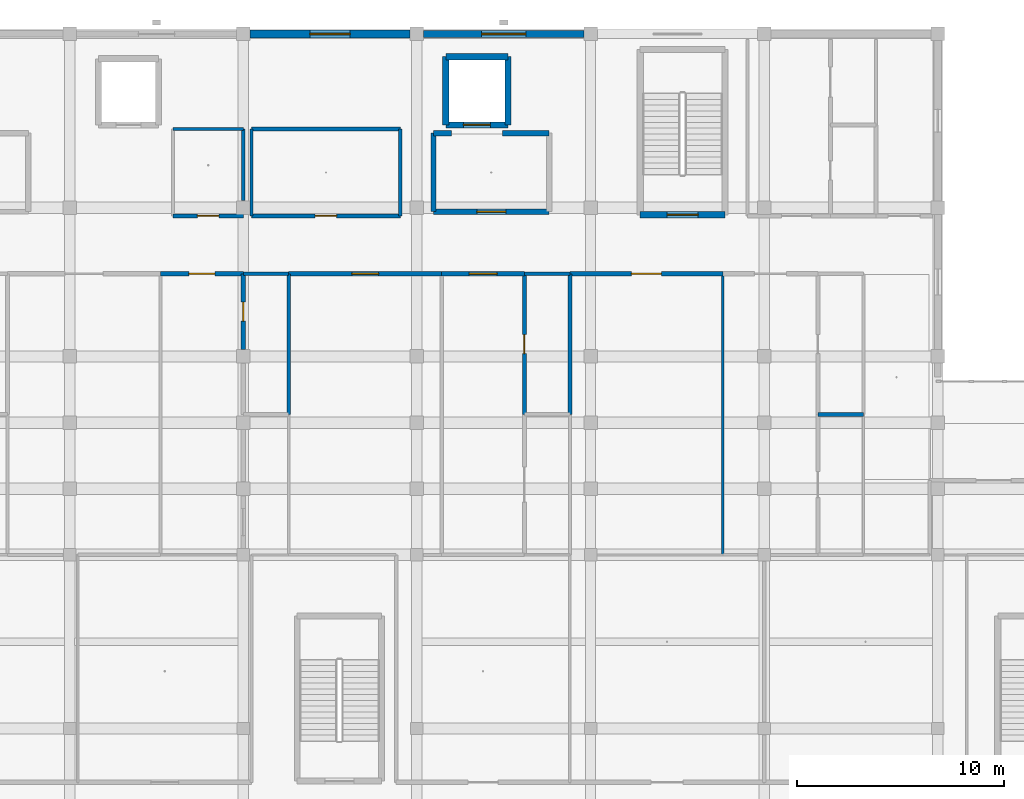
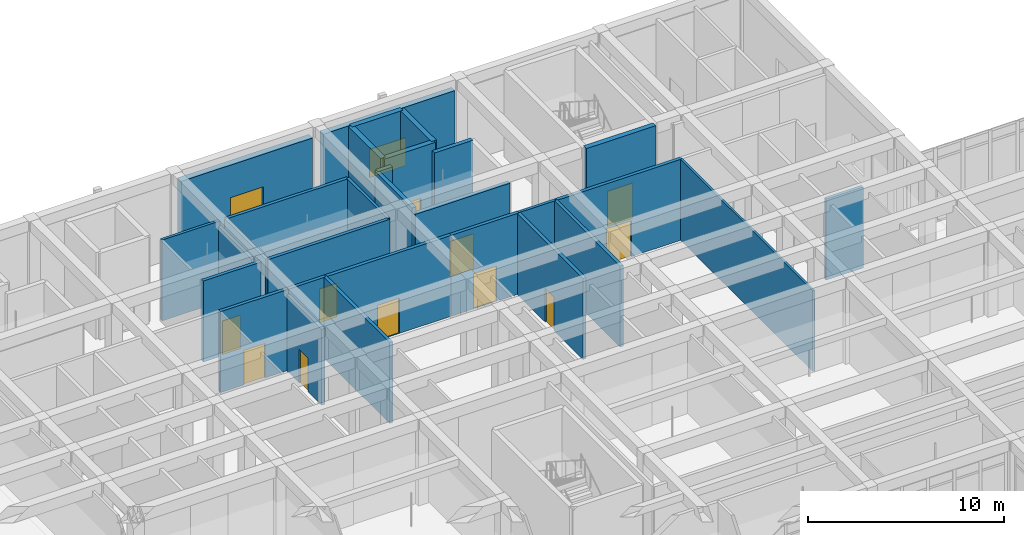
# One storey, part 83 of 157: 30 walls, 11 doors, 2 windows, 13 openings.
"""IFC4 building model written with IfcOpenShell, lengths in metres."""

from ifc_helpers import new_model, si_unit, direction, frame, frame_2d, origin, place, context, subcontext, project, spatial, rectangle, extrude, material, layer, layer_set, type_object, element, fill, save


model = new_model("IFC4")

# Units and contexts
model_context = context("Model", 3, precision=1e-05, world=origin(), true_north=direction((0.0, 1.0)))
body_context = subcontext(model_context, "Body", "Model", "MODEL_VIEW")
ifc_project = project(units=[si_unit("LENGTHUNIT", "METRE"), si_unit("AREAUNIT", "SQUARE_METRE"), si_unit("VOLUMEUNIT", "CUBIC_METRE"), si_unit("PLANEANGLEUNIT", "RADIAN"), si_unit("MASSUNIT", "GRAM", prefix="KILO")], contexts=[model_context])

# Site, building, storey
site_placement = place(None, origin())
site = spatial("IfcSite", under=ifc_project, at=site_placement, CompositionType="ELEMENT")
building_placement = place(site_placement, origin())
building = spatial("IfcBuilding", under=site, at=building_placement, Name="Varncliffe General Hospital", CompositionType="ELEMENT")
storey_placement = place(building_placement, frame((0.0, 0.0, 5.39990234375)))
storey = spatial("IfcBuildingStorey", under=building, at=storey_placement, Name="L01", CompositionType="ELEMENT", Elevation=5.39990234375)

# Wall, opening, window
ifc_material_1 = material(Name="Precast concrete C40/50 with insulated cream lime-cement stucco", Category="concrete")
ifc_layer_1 = layer(ifc_material_1, 0.3798828125)
ifc_layer_set_1 = layer_set([ifc_layer_1], Name="Precast concrete C40/50 with insulated cream lime-cement stucco")
wall_type_1 = type_object("IfcWallType", Name="Exterior Insulated Stucco Wall EW26 (380mm)", PredefinedType="SOLIDWALL", material=ifc_layer_set_1)
wall_1_placement = place(storey_placement, frame((33.923095703125, 124.800048828125, 0.0), z_axis=(0.0, 0.0, 1.0), x_axis=(1.0, 0.0, 0.0)))
wall_1 = element("IfcWall", 1, at=wall_1_placement, inside=storey, type_object=wall_type_1, Name="L01 Exterior Stucco Wall EW26-118", PredefinedType="SOLIDWALL", context=body_context, shape_type="SweptSolid", body=[
    extrude(rectangle(XDim=7.75390625, YDim=0.3798828125, at=frame_2d((3.876953125, 0.0))), origin(), (0.0, 0.0, 1.0), 4.68017578125),
])
opening_1_placement = place(wall_1_placement, frame((2.902099609375, 0.0, 0.89990234375)))
opening_1 = element("IfcOpeningElement", 2, at=opening_1_placement, cuts=wall_1, Name="Opening WN71", PredefinedType="OPENING", context=body_context, shape_type="SweptSolid", body=[
    extrude(rectangle(XDim=1.949951171875, YDim=1.75, at=frame_2d((0.97509765625, 0.875))), frame((0.0, 0.199951171875, 0.0), z_axis=(0.0, -1.0, 0.0), x_axis=(1.0, 0.0, 0.0)), (0.0, 0.0, 1.0), 0.39990234375),
])
ifc_material_2 = material(Name="Triple low-E argon insulated vision glazing", Category="glass")
window_type_1 = type_object("IfcWindowType", Name="Triple-Glazed Hospital Window WN71 (1950x1750)", PartitioningType="DOUBLE_PANEL_VERTICAL", PredefinedType="WINDOW", material=ifc_material_2)
window_1_placement = place(opening_1_placement, origin())
window_1 = element("IfcWindow", 3, at=window_1_placement, inside=storey, type_object=window_type_1, Name="L01 Hospital Window WN71-65", OverallHeight=1.75, OverallWidth=1.949951171875, PartitioningType="DOUBLE_PANEL_VERTICAL", PredefinedType="WINDOW", context=body_context, shape_type="SweptSolid", body=[
    extrude(rectangle(XDim=1.949951171875, YDim=1.75, at=frame_2d((0.97509765625, 0.875))), frame((0.0, 0.030029296875, 0.0), z_axis=(0.0, -1.0, 0.0), x_axis=(1.0, 0.0, 0.0)), (0.0, 0.0, 1.0), 0.06005859375),
])
fill(opening_1, window_1)

ifc_layer_2 = layer(ifc_material_1, 0.35009765625)
ifc_layer_set_2 = layer_set([ifc_layer_2], Name="Precast concrete C40/50 with insulated cream lime-cement stucco")
wall_type_2 = type_object("IfcWallType", Name="Exterior Insulated Stucco Wall EW37 (350mm)", PredefinedType="SOLIDWALL", material=ifc_layer_set_2)
wall_2_placement = place(storey_placement, frame((42.322998046875, 124.800048828125, 0.0), z_axis=(0.0, 0.0, 1.0), x_axis=(1.0, 0.0, 0.0)))
wall_2 = element("IfcWall", 4, at=wall_2_placement, inside=storey, type_object=wall_type_2, Name="L01 Exterior Stucco Wall EW37-119", PredefinedType="SOLIDWALL", context=body_context, shape_type="SweptSolid", body=[
    extrude(rectangle(XDim=7.75390625, YDim=0.35009765625, at=frame_2d((3.876953125, 0.0))), origin(), (0.0, 0.0, 1.0), 4.68017578125),
])
opening_2_placement = place(wall_2_placement, frame((2.802001953125, 0.0, 0.89990234375)))
opening_2 = element("IfcOpeningElement", 5, at=opening_2_placement, cuts=wall_2, Name="Opening WN63", PredefinedType="OPENING", context=body_context, shape_type="SweptSolid", body=[
    extrude(rectangle(XDim=2.14990234375, YDim=1.75, at=frame_2d((1.074951171875, 0.875))), frame((0.0, 0.18505859375, 0.0), z_axis=(0.0, -1.0, 0.0), x_axis=(1.0, 0.0, 0.0)), (0.0, 0.0, 1.0), 0.3701171875),
])
window_type_2 = type_object("IfcWindowType", Name="Triple-Glazed Hospital Window WN63 (2150x1750)", PartitioningType="DOUBLE_PANEL_VERTICAL", PredefinedType="WINDOW", material=ifc_material_2)
window_2_placement = place(opening_2_placement, origin())
window_2 = element("IfcWindow", 6, at=window_2_placement, inside=storey, type_object=window_type_2, Name="L01 Hospital Window WN63-66", OverallHeight=1.75, OverallWidth=2.14990234375, PartitioningType="DOUBLE_PANEL_VERTICAL", PredefinedType="WINDOW", context=body_context, shape_type="SweptSolid", body=[
    extrude(rectangle(XDim=2.14990234375, YDim=1.75, at=frame_2d((1.074951171875, 0.875))), frame((0.0, 0.030029296875, 0.0), z_axis=(0.0, -1.0, 0.0), x_axis=(1.0, 0.0, 0.0)), (0.0, 0.0, 1.0), 0.06005859375),
])
fill(opening_2, window_2)

# Wall
ifc_material_3 = material(Name="Acoustic clinical gypsum stud partition assembly", Category="gypsum")
ifc_layer_3 = layer(ifc_material_3, 0.1298828125)
ifc_layer_set_3 = layer_set([ifc_layer_3], Name="Acoustic clinical gypsum stud partition assembly")
wall_type_3 = type_object("IfcWallType", Name="Interior Partitioning IW11 (130mm)", PredefinedType="PARTITIONING", material=ifc_layer_set_3)
wall_3_placement = place(storey_placement, frame((56.800048828125, 99.60009765625, 0.0), z_axis=(0.0, 0.0, 1.0), x_axis=(0.0, 1.0, 0.0)))
element("IfcWall", 7, at=wall_3_placement, inside=storey, type_object=wall_type_3, Name="L01 Interior Partition Wall IW11-743", PredefinedType="PARTITIONING", context=body_context, shape_type="SweptSolid", body=[
    extrude(rectangle(XDim=13.599853515625, YDim=0.1298828125, at=frame_2d((6.7998046875, 0.0))), origin(), (0.0, 0.0, 1.0), 5.050048828125),
])

# Wall, opening, door
ifc_material_4 = material(Name="Fire-rated gypsum and mineral-wool partition assembly", Category="gypsum")
ifc_layer_4 = layer(ifc_material_4, 0.25)
ifc_layer_set_4 = layer_set([ifc_layer_4], Name="Fire-rated gypsum and mineral-wool partition assembly")
wall_type_4 = type_object("IfcWallType", Name="Interior Partitioning PW38 (250mm)", PredefinedType="PARTITIONING", material=ifc_layer_set_4)
wall_4_placement = place(storey_placement, frame((42.800048828125, 116.199951171875, 0.0), z_axis=(0.0, 0.0, 1.0), x_axis=(1.0, 0.0, 0.0)))
wall_4 = element("IfcWall", 8, at=wall_4_placement, inside=storey, type_object=wall_type_4, Name="L01 Interior Partition Wall PW38-655", PredefinedType="PARTITIONING", context=body_context, shape_type="SweptSolid", body=[
    extrude(rectangle(XDim=5.599853515625, YDim=0.25, at=frame_2d((2.7998046875, 0.0))), origin(), (0.0, 0.0, 1.0), 4.68505859375),
])
opening_3_placement = place(wall_4_placement, frame((2.10009765625, 0.0, 0.0)))
opening_3 = element("IfcOpeningElement", 9, at=opening_3_placement, cuts=wall_4, Name="Opening DF81", PredefinedType="OPENING", context=body_context, shape_type="SweptSolid", body=[
    extrude(rectangle(XDim=1.39990234375, YDim=2.199951171875, at=frame_2d((0.699951171875, 1.10009765625))), frame((0.0, 0.135009765625, 0.0), z_axis=(0.0, -1.0, 0.0), x_axis=(1.0, 0.0, 0.0)), (0.0, 0.0, 1.0), 0.27001953125),
])
ifc_material_5 = material(Name="Fire-rated hospital steel-frame vision-panel door", Category="steel")
door_type_1 = type_object("IfcDoorType", Name="Interior Hospital Door DF81 (1400x2200)", OperationType="NOTDEFINED", PredefinedType="DOOR", material=ifc_material_5)
door_1_placement = place(opening_3_placement, origin())
door_1 = element("IfcDoor", 10, at=door_1_placement, inside=storey, type_object=door_type_1, Name="L01 Firefighting Lift Lobby LF02 Door", OperationType="SINGLE_SWING_RIGHT", OverallHeight=2.199951171875, OverallWidth=1.39990234375, PredefinedType="DOOR", context=body_context, shape_type="SweptSolid", body=[
    extrude(rectangle(XDim=1.39990234375, YDim=2.199951171875, at=frame_2d((0.699951171875, 1.10009765625))), frame((0.0, 0.02490234375, 0.0), z_axis=(0.0, -1.0, 0.0), x_axis=(1.0, 0.0, 0.0)), (0.0, 0.0, 1.0), 0.050048828125),
])
fill(opening_3, door_1)

# Walls
wall_5_placement = place(storey_placement, frame((46.135986328125, 120.0, 0.0), z_axis=(0.0, 0.0, 1.0), x_axis=(1.0, 0.0, 0.0)))
element("IfcWall", 11, at=wall_5_placement, inside=storey, type_object=wall_type_4, Name="L01 Interior Partition Wall PW38-659", PredefinedType="PARTITIONING", context=body_context, shape_type="SweptSolid", body=[
    extrude(rectangle(XDim=2.263916015625, YDim=0.25, at=frame_2d((1.1318359375, 0.0))), origin(), (0.0, 0.0, 1.0), 5.050048828125),
])
wall_6_placement = place(storey_placement, frame((42.800048828125, 120.0, 0.0), z_axis=(0.0, 0.0, 1.0), x_axis=(1.0, 0.0, 0.0)))
element("IfcWall", 12, at=wall_6_placement, inside=storey, type_object=wall_type_4, Name="L01 Interior Partition Wall PW38-660", PredefinedType="PARTITIONING", context=body_context, shape_type="SweptSolid", body=[
    extrude(rectangle(XDim=0.864013671875, YDim=0.25, at=frame_2d((0.43212890625, 0.0))), origin(), (0.0, 0.0, 1.0), 5.050048828125),
])
ifc_layer_5 = layer(ifc_material_4, 0.22998046875)
ifc_layer_set_5 = layer_set([ifc_layer_5], Name="Fire-rated gypsum and mineral-wool partition assembly")
wall_type_5 = type_object("IfcWallType", Name="Interior Partitioning PW48 (230mm)", PredefinedType="PARTITIONING", material=ifc_layer_set_5)
wall_7_placement = place(storey_placement, frame((42.800048828125, 116.199951171875, 0.0), z_axis=(0.0, 0.0, 1.0), x_axis=(0.0, 1.0, 0.0)))
element("IfcWall", 13, at=wall_7_placement, inside=storey, type_object=wall_type_5, Name="L01 Interior Partition Wall PW48-728", PredefinedType="PARTITIONING", context=body_context, shape_type="SweptSolid", body=[
    extrude(rectangle(XDim=3.800048828125, YDim=0.22998046875, at=frame_2d((1.89990234375, 0.0))), origin(), (0.0, 0.0, 1.0), 5.050048828125),
])

# Wall, opening, door
ifc_layer_6 = layer(ifc_material_4, 0.199951171875)
ifc_layer_set_6 = layer_set([ifc_layer_6], Name="Fire-rated gypsum and mineral-wool partition assembly")
wall_type_6 = type_object("IfcWallType", Name="Interior Partitioning PW63 (200mm)", PredefinedType="PARTITIONING", material=ifc_layer_set_6)
wall_8_placement = place(storey_placement, frame((29.60009765625, 113.199951171875, 0.0), z_axis=(0.0, 0.0, 1.0), x_axis=(1.0, 0.0, 0.0)))
wall_8 = element("IfcWall", 14, at=wall_8_placement, inside=storey, type_object=wall_type_6, Name="L01 Interior Partition Wall PW63-619", PredefinedType="PARTITIONING", context=body_context, shape_type="SweptSolid", body=[
    extrude(rectangle(XDim=4.0, YDim=0.199951171875, at=frame_2d((2.0, 0.0))), origin(), (0.0, 0.0, 1.0), 5.050048828125),
])
opening_4_placement = place(wall_8_placement, frame((1.375, 0.0, 0.0)))
opening_4 = element("IfcOpeningElement", 15, at=opening_4_placement, cuts=wall_8, Name="Opening DC44", PredefinedType="OPENING", context=body_context, shape_type="SweptSolid", body=[
    extrude(rectangle(XDim=1.25, YDim=2.14990234375, at=frame_2d((0.625, 1.074951171875))), frame((0.0, 0.10986328125, 0.0), z_axis=(0.0, -1.0, 0.0), x_axis=(1.0, 0.0, 0.0)), (0.0, 0.0, 1.0), 0.219970703125),
])
door_type_2 = type_object("IfcDoorType", Name="Interior Hospital Door DC44 (1250x2150)", OperationType="NOTDEFINED", PredefinedType="DOOR", material=ifc_material_5)
door_2_placement = place(opening_4_placement, frame((1.25, 0.0, 0.0), z_axis=(0.0, 0.0, 1.0), x_axis=(-1.0, 0.0, 0.0)))
door_2 = element("IfcDoor", 16, at=door_2_placement, inside=storey, type_object=door_type_2, Name="L01 General Medical Inpatient Room 138 Door", OperationType="SINGLE_SWING_LEFT", OverallHeight=2.14990234375, OverallWidth=1.25, PredefinedType="DOOR", context=body_context, shape_type="SweptSolid", body=[
    extrude(rectangle(XDim=1.25, YDim=2.14990234375, at=frame_2d((0.625, 1.074951171875))), frame((0.0, 0.02490234375, 0.0), z_axis=(0.0, -1.0, 0.0), x_axis=(1.0, 0.0, 0.0)), (0.0, 0.0, 1.0), 0.050048828125),
])
fill(opening_4, door_2)

wall_9_placement = place(storey_placement, frame((35.800048828125, 113.199951171875, 0.0), z_axis=(0.0, 0.0, 1.0), x_axis=(1.0, 0.0, 0.0)))
wall_9 = element("IfcWall", 17, at=wall_9_placement, inside=storey, type_object=wall_type_6, Name="L01 Interior Partition Wall PW63-621", PredefinedType="PARTITIONING", context=body_context, shape_type="SweptSolid", body=[
    extrude(rectangle(XDim=7.39990234375, YDim=0.199951171875, at=frame_2d((3.699951171875, 0.0))), origin(), (0.0, 0.0, 1.0), 5.050048828125),
])
opening_5_placement = place(wall_9_placement, frame((3.050048828125, 0.0, 0.0)))
opening_5 = element("IfcOpeningElement", 18, at=opening_5_placement, cuts=wall_9, Name="Opening DC88", PredefinedType="OPENING", context=body_context, shape_type="SweptSolid", body=[
    extrude(rectangle(XDim=1.300048828125, YDim=2.199951171875, at=frame_2d((0.64990234375, 1.10009765625))), frame((0.0, 0.10986328125, 0.0), z_axis=(0.0, -1.0, 0.0), x_axis=(1.0, 0.0, 0.0)), (0.0, 0.0, 1.0), 0.219970703125),
])
door_type_3 = type_object("IfcDoorType", Name="Interior Hospital Door DC88 (1300x2200)", OperationType="NOTDEFINED", PredefinedType="DOOR", material=ifc_material_5)
door_3_placement = place(opening_5_placement, frame((1.300048828125, 0.0, 0.0), z_axis=(0.0, 0.0, 1.0), x_axis=(-1.0, 0.0, 0.0)))
door_3 = element("IfcDoor", 19, at=door_3_placement, inside=storey, type_object=door_type_3, Name="L01 Ward Nurse Station and Medication Room 141 Door", OperationType="SINGLE_SWING_RIGHT", OverallHeight=2.199951171875, OverallWidth=1.300048828125, PredefinedType="DOOR", context=body_context, shape_type="SweptSolid", body=[
    extrude(rectangle(XDim=1.300048828125, YDim=2.199951171875, at=frame_2d((0.64990234375, 1.10009765625))), frame((0.0, 0.02490234375, 0.0), z_axis=(0.0, -1.0, 0.0), x_axis=(1.0, 0.0, 0.0)), (0.0, 0.0, 1.0), 0.050048828125),
])
fill(opening_5, door_3)

wall_10_placement = place(storey_placement, frame((43.199951171875, 113.199951171875, 0.0), z_axis=(0.0, 0.0, 1.0), x_axis=(1.0, 0.0, 0.0)))
wall_10 = element("IfcWall", 20, at=wall_10_placement, inside=storey, type_object=wall_type_6, Name="L01 Interior Partition Wall PW63-622", PredefinedType="PARTITIONING", context=body_context, shape_type="SweptSolid", body=[
    extrude(rectangle(XDim=4.0, YDim=0.199951171875, at=frame_2d((2.0, 0.0))), origin(), (0.0, 0.0, 1.0), 5.050048828125),
])
opening_6_placement = place(wall_10_placement, frame((1.324951171875, 0.0, 0.0)))
opening_6 = element("IfcOpeningElement", 21, at=opening_6_placement, cuts=wall_10, Name="Opening DC85", PredefinedType="OPENING", context=body_context, shape_type="SweptSolid", body=[
    extrude(rectangle(XDim=1.35009765625, YDim=2.199951171875, at=frame_2d((0.675048828125, 1.10009765625))), frame((0.0, 0.10986328125, 0.0), z_axis=(0.0, -1.0, 0.0), x_axis=(1.0, 0.0, 0.0)), (0.0, 0.0, 1.0), 0.219970703125),
])
door_type_4 = type_object("IfcDoorType", Name="Interior Hospital Door DC85 (1350x2200)", OperationType="NOTDEFINED", PredefinedType="DOOR", material=ifc_material_5)
door_4_placement = place(opening_6_placement, frame((1.35009765625, 0.0, 0.0), z_axis=(0.0, 0.0, 1.0), x_axis=(-1.0, 0.0, 0.0)))
door_4 = element("IfcDoor", 22, at=door_4_placement, inside=storey, type_object=door_type_4, Name="L01 General Medical Inpatient Room 142 Door", OperationType="SINGLE_SWING_LEFT", OverallHeight=2.199951171875, OverallWidth=1.35009765625, PredefinedType="DOOR", context=body_context, shape_type="SweptSolid", body=[
    extrude(rectangle(XDim=1.35009765625, YDim=2.199951171875, at=frame_2d((0.675048828125, 1.10009765625))), frame((0.0, 0.02490234375, 0.0), z_axis=(0.0, -1.0, 0.0), x_axis=(1.0, 0.0, 0.0)), (0.0, 0.0, 1.0), 0.050048828125),
])
fill(opening_6, door_4)

wall_11_placement = place(storey_placement, frame((49.39990234375, 113.199951171875, 0.0), z_axis=(0.0, 0.0, 1.0), x_axis=(1.0, 0.0, 0.0)))
wall_11 = element("IfcWall", 23, at=wall_11_placement, inside=storey, type_object=wall_type_6, Name="L01 Interior Partition Wall PW63-624", PredefinedType="PARTITIONING", context=body_context, shape_type="SweptSolid", body=[
    extrude(rectangle(XDim=7.400146484375, YDim=0.199951171875, at=frame_2d((3.7001953125, 0.0))), origin(), (0.0, 0.0, 1.0), 5.050048828125),
])
opening_7_placement = place(wall_11_placement, frame((2.97509765625, 0.0, 0.0)))
opening_7 = element("IfcOpeningElement", 24, at=opening_7_placement, cuts=wall_11, Name="Opening DC66", PredefinedType="OPENING", context=body_context, shape_type="SweptSolid", body=[
    extrude(rectangle(XDim=1.449951171875, YDim=2.25, at=frame_2d((0.72509765625, 1.125))), frame((0.0, 0.10986328125, 0.0), z_axis=(0.0, -1.0, 0.0), x_axis=(1.0, 0.0, 0.0)), (0.0, 0.0, 1.0), 0.219970703125),
])
door_type_5 = type_object("IfcDoorType", Name="Interior Hospital Door DC66 (1450x2250)", OperationType="NOTDEFINED", PredefinedType="DOOR", material=ifc_material_5)
door_5_placement = place(opening_7_placement, frame((1.449951171875, 0.0, 0.0), z_axis=(0.0, 0.0, 1.0), x_axis=(-1.0, 0.0, 0.0)))
door_5 = element("IfcDoor", 25, at=door_5_placement, inside=storey, type_object=door_type_5, Name="L01 Ward Nurse Station and Medication Room 145 Door", OperationType="SINGLE_SWING_RIGHT", OverallHeight=2.25, OverallWidth=1.449951171875, PredefinedType="DOOR", context=body_context, shape_type="SweptSolid", body=[
    extrude(rectangle(XDim=1.449951171875, YDim=2.25, at=frame_2d((0.72509765625, 1.125))), frame((0.0, 0.02490234375, 0.0), z_axis=(0.0, -1.0, 0.0), x_axis=(1.0, 0.0, 0.0)), (0.0, 0.0, 1.0), 0.050048828125),
])
fill(opening_7, door_5)

wall_12_placement = place(storey_placement, frame((30.199951171875, 116.0, 0.0), z_axis=(0.0, 0.0, 1.0), x_axis=(1.0, 0.0, 0.0)))
wall_12 = element("IfcWall", 26, at=wall_12_placement, inside=storey, type_object=wall_type_6, Name="L01 Interior Partition Wall PW63-643", PredefinedType="PARTITIONING", context=body_context, shape_type="SweptSolid", body=[
    extrude(rectangle(XDim=3.400146484375, YDim=0.199951171875, at=frame_2d((1.7001953125, 0.0))), origin(), (0.0, 0.0, 1.0), 5.050048828125),
])
opening_8_placement = place(wall_12_placement, frame((1.179931640625, 0.0, 0.0)))
opening_8 = element("IfcOpeningElement", 27, at=opening_8_placement, cuts=wall_12, Name="Opening DI77", PredefinedType="OPENING", context=body_context, shape_type="SweptSolid", body=[
    extrude(rectangle(XDim=1.0400390625, YDim=2.10009765625, at=frame_2d((0.52001953125, 1.050048828125))), frame((0.0, 0.10986328125, 0.0), z_axis=(0.0, -1.0, 0.0), x_axis=(1.0, 0.0, 0.0)), (0.0, 0.0, 1.0), 0.219970703125),
])
ifc_material_6 = material(Name="Solid-core antimicrobial hospital oak veneer door", Category="wood")
door_type_6 = type_object("IfcDoorType", Name="Interior Hospital Door DI77 (1040x2100)", OperationType="NOTDEFINED", PredefinedType="DOOR", material=ifc_material_6)
door_6_placement = place(opening_8_placement, origin())
door_6 = element("IfcDoor", 28, at=door_6_placement, inside=storey, type_object=door_type_6, Name="L01 Accessible WC L01-NW Door", OperationType="SINGLE_SWING_RIGHT", OverallHeight=2.10009765625, OverallWidth=1.0400390625, PredefinedType="DOOR", context=body_context, shape_type="SweptSolid", body=[
    extrude(rectangle(XDim=1.0400390625, YDim=2.10009765625, at=frame_2d((0.52001953125, 1.050048828125))), frame((0.0, 0.02490234375, 0.0), z_axis=(0.0, -1.0, 0.0), x_axis=(1.0, 0.0, 0.0)), (0.0, 0.0, 1.0), 0.050048828125),
])
fill(opening_8, door_6)

wall_13_placement = place(storey_placement, frame((34.0, 116.0, 0.0), z_axis=(0.0, 0.0, 1.0), x_axis=(1.0, 0.0, 0.0)))
wall_13 = element("IfcWall", 29, at=wall_13_placement, inside=storey, type_object=wall_type_6, Name="L01 Interior Partition Wall PW63-644", PredefinedType="PARTITIONING", context=body_context, shape_type="SweptSolid", body=[
    extrude(rectangle(XDim=7.199951171875, YDim=0.199951171875, at=frame_2d((3.60009765625, 0.0))), origin(), (0.0, 0.0, 1.0), 5.050048828125),
])
opening_9_placement = place(wall_13_placement, frame((3.080078125, 0.0, 0.0)))
opening_9 = element("IfcOpeningElement", 30, at=opening_9_placement, cuts=wall_13, Name="Opening DI77", PredefinedType="OPENING", context=body_context, shape_type="SweptSolid", body=[
    extrude(rectangle(XDim=1.0400390625, YDim=2.10009765625, at=frame_2d((0.52001953125, 1.050048828125))), frame((0.0, 0.10986328125, 0.0), z_axis=(0.0, -1.0, 0.0), x_axis=(1.0, 0.0, 0.0)), (0.0, 0.0, 1.0), 0.219970703125),
])
door_7_placement = place(opening_9_placement, origin())
door_7 = element("IfcDoor", 31, at=door_7_placement, inside=storey, type_object=door_type_6, Name="L01 Staff and Visitor WC L01-NW Door", OperationType="SINGLE_SWING_LEFT", OverallHeight=2.10009765625, OverallWidth=1.0400390625, PredefinedType="DOOR", context=body_context, shape_type="SweptSolid", body=[
    extrude(rectangle(XDim=1.0400390625, YDim=2.10009765625, at=frame_2d((0.52001953125, 1.050048828125))), frame((0.0, 0.02490234375, 0.0), z_axis=(0.0, -1.0, 0.0), x_axis=(1.0, 0.0, 0.0)), (0.0, 0.0, 1.0), 0.050048828125),
])
fill(opening_9, door_7)

wall_14_placement = place(storey_placement, frame((33.60009765625, 109.5400390625, 0.0), z_axis=(0.0, 0.0, 1.0), x_axis=(0.0, 1.0, 0.0)))
wall_14 = element("IfcWall", 32, at=wall_14_placement, inside=storey, type_object=wall_type_6, Name="L01 Interior Partition Wall PW63-715", PredefinedType="PARTITIONING", context=body_context, shape_type="SweptSolid", body=[
    extrude(rectangle(XDim=3.659912109375, YDim=0.199951171875, at=frame_2d((1.830078125, 0.0))), origin(), (0.0, 0.0, 1.0), 4.735107421875),
])
opening_10_placement = place(wall_14_placement, frame((1.3701171875, 0.0, 0.0)))
opening_10 = element("IfcOpeningElement", 33, at=opening_10_placement, cuts=wall_14, Name="Opening DI70", PredefinedType="OPENING", context=body_context, shape_type="SweptSolid", body=[
    extrude(rectangle(XDim=0.919921875, YDim=2.10009765625, at=frame_2d((0.4599609375, 1.050048828125))), frame((0.0, 0.10986328125, 0.0), z_axis=(0.0, -1.0, 0.0), x_axis=(1.0, 0.0, 0.0)), (0.0, 0.0, 1.0), 0.219970703125),
])
door_type_7 = type_object("IfcDoorType", Name="Interior Hospital Door DI70 (920x2100)", OperationType="NOTDEFINED", PredefinedType="DOOR", material=ifc_material_6)
door_8_placement = place(opening_10_placement, frame((0.919921875, 0.0, 0.0), z_axis=(0.0, 0.0, 1.0), x_axis=(-1.0, 0.0, 0.0)))
door_8 = element("IfcDoor", 34, at=door_8_placement, inside=storey, type_object=door_type_7, Name="L01 En-Suite Bathroom 139 Door", OperationType="SINGLE_SWING_RIGHT", OverallHeight=2.10009765625, OverallWidth=0.919921875, PredefinedType="DOOR", context=body_context, shape_type="SweptSolid", body=[
    extrude(rectangle(XDim=0.919921875, YDim=2.10009765625, at=frame_2d((0.4599609375, 1.050048828125))), frame((0.0, 0.02490234375, 0.0), z_axis=(0.0, -1.0, 0.0), x_axis=(1.0, 0.0, 0.0)), (0.0, 0.0, 1.0), 0.050048828125),
])
fill(opening_10, door_8)

wall_15_placement = place(storey_placement, frame((47.199951171875, 106.39990234375, 0.0), z_axis=(0.0, 0.0, 1.0), x_axis=(0.0, 1.0, 0.0)))
wall_15 = element("IfcWall", 35, at=wall_15_placement, inside=storey, type_object=wall_type_6, Name="L01 Interior Partition Wall PW63-734", PredefinedType="PARTITIONING", context=body_context, shape_type="SweptSolid", body=[
    extrude(rectangle(XDim=6.800048828125, YDim=0.199951171875, at=frame_2d((3.39990234375, 0.0))), origin(), (0.0, 0.0, 1.0), 5.050048828125),
])
opening_11_placement = place(wall_15_placement, frame((2.93994140625, 0.0, 0.0)))
opening_11 = element("IfcOpeningElement", 36, at=opening_11_placement, cuts=wall_15, Name="Opening DI70", PredefinedType="OPENING", context=body_context, shape_type="SweptSolid", body=[
    extrude(rectangle(XDim=0.919921875, YDim=2.10009765625, at=frame_2d((0.4599609375, 1.050048828125))), frame((0.0, 0.10986328125, 0.0), z_axis=(0.0, -1.0, 0.0), x_axis=(1.0, 0.0, 0.0)), (0.0, 0.0, 1.0), 0.219970703125),
])
door_9_placement = place(opening_11_placement, frame((0.919921875, 0.0, 0.0), z_axis=(0.0, 0.0, 1.0), x_axis=(-1.0, 0.0, 0.0)))
door_9 = element("IfcDoor", 37, at=door_9_placement, inside=storey, type_object=door_type_7, Name="L01 En-Suite Bathroom 143 Door", OperationType="SINGLE_SWING_RIGHT", OverallHeight=2.10009765625, OverallWidth=0.919921875, PredefinedType="DOOR", context=body_context, shape_type="SweptSolid", body=[
    extrude(rectangle(XDim=0.919921875, YDim=2.10009765625, at=frame_2d((0.4599609375, 1.050048828125))), frame((0.0, 0.02490234375, 0.0), z_axis=(0.0, -1.0, 0.0), x_axis=(1.0, 0.0, 0.0)), (0.0, 0.0, 1.0), 0.050048828125),
])
fill(opening_11, door_9)

# Walls
ifc_material_7 = material(Name="Moisture-resistant plumbing chase wall assembly", Category="gypsum")
ifc_layer_7 = layer(ifc_material_7, 0.18994140625)
ifc_layer_set_7 = layer_set([ifc_layer_7], Name="Moisture-resistant plumbing chase wall assembly")
wall_type_7 = type_object("IfcWallType", Name="Interior Plumbingwall MW17 (190mm)", PredefinedType="PLUMBINGWALL", material=ifc_layer_set_7)
wall_16_placement = place(storey_placement, frame((61.39990234375, 106.39990234375, 0.0), z_axis=(0.0, 0.0, 1.0), x_axis=(1.0, 0.0, 0.0)))
element("IfcWall", 38, at=wall_16_placement, inside=storey, type_object=wall_type_7, Name="L01 Interior Plumbing Wall MW17-608", PredefinedType="PLUMBINGWALL", context=body_context, shape_type="SweptSolid", body=[
    extrude(rectangle(XDim=2.2001953125, YDim=0.18994140625, at=frame_2d((1.10009765625, 0.0))), origin(), (0.0, 0.0, 1.0), 5.050048828125),
])
wall_17_placement = place(storey_placement, frame((33.60009765625, 113.199951171875, 0.0), z_axis=(0.0, 0.0, 1.0), x_axis=(1.0, 0.0, 0.0)))
element("IfcWall", 39, at=wall_17_placement, inside=storey, type_object=wall_type_7, Name="L01 Interior Plumbing Wall MW17-620", PredefinedType="PLUMBINGWALL", context=body_context, shape_type="SweptSolid", body=[
    extrude(rectangle(XDim=2.199951171875, YDim=0.18994140625, at=frame_2d((1.10009765625, 0.0))), origin(), (0.0, 0.0, 1.0), 5.050048828125),
])
wall_18_placement = place(storey_placement, frame((34.0, 120.199951171875, 0.0), z_axis=(0.0, 0.0, 1.0), x_axis=(1.0, 0.0, 0.0)))
element("IfcWall", 40, at=wall_18_placement, inside=storey, type_object=wall_type_7, Name="L01 Interior Plumbing Wall MW17-664", PredefinedType="PLUMBINGWALL", context=body_context, shape_type="SweptSolid", body=[
    extrude(rectangle(XDim=7.199951171875, YDim=0.18994140625, at=frame_2d((3.60009765625, 0.0))), origin(), (0.0, 0.0, 1.0), 5.050048828125),
])
for number, where, z_axis, x_axis, name in (
    (41, (35.800048828125, 106.39990234375, 0.0), (0.0, 0.0, 1.0), (0.0, 1.0, 0.0), "L01 Interior Plumbing Wall MW17-724"),
    (42, (49.39990234375, 106.39990234375, 0.0), (0.0, 0.0, 1.0), (0.0, 1.0, 0.0), "L01 Interior Plumbing Wall MW17-740"),
):
    element("IfcWall", number, at=place(storey_placement, frame(where, z_axis=z_axis, x_axis=x_axis)), inside=storey, type_object=wall_type_7, Name=name, PredefinedType="PLUMBINGWALL", context=body_context, shape_type="SweptSolid", body=[
        extrude(rectangle(XDim=6.800048828125, YDim=0.18994140625, at=frame_2d((3.39990234375, 0.0))), origin(), (0.0, 0.0, 1.0), 5.050048828125),
    ])
ifc_layer_8 = layer(ifc_material_7, 0.159912109375)
ifc_layer_set_8 = layer_set([ifc_layer_8], Name="Moisture-resistant plumbing chase wall assembly")
wall_type_8 = type_object("IfcWallType", Name="Interior Plumbingwall MW31 (160mm)", PredefinedType="PLUMBINGWALL", material=ifc_layer_set_8)
wall_19_placement = place(storey_placement, frame((47.199951171875, 113.199951171875, 0.0), z_axis=(0.0, 0.0, 1.0), x_axis=(1.0, 0.0, 0.0)))
element("IfcWall", 43, at=wall_19_placement, inside=storey, type_object=wall_type_8, Name="L01 Interior Plumbing Wall MW31-623", PredefinedType="PLUMBINGWALL", context=body_context, shape_type="SweptSolid", body=[
    extrude(rectangle(XDim=2.199951171875, YDim=0.159912109375, at=frame_2d((1.10009765625, 0.0))), origin(), (0.0, 0.0, 1.0), 5.050048828125),
])
wall_20_placement = place(storey_placement, frame((30.199951171875, 120.199951171875, 0.0), z_axis=(0.0, 0.0, 1.0), x_axis=(1.0, 0.0, 0.0)))
element("IfcWall", 44, at=wall_20_placement, inside=storey, type_object=wall_type_8, Name="L01 Interior Plumbing Wall MW31-663", PredefinedType="PLUMBINGWALL", context=body_context, shape_type="SweptSolid", body=[
    extrude(rectangle(XDim=3.400146484375, YDim=0.159912109375, at=frame_2d((1.7001953125, 0.0))), origin(), (0.0, 0.0, 1.0), 5.050048828125),
])
wall_21_placement = place(storey_placement, frame((33.60009765625, 116.739990234375, 0.0), z_axis=(0.0, 0.0, 1.0), x_axis=(0.0, 1.0, 0.0)))
element("IfcWall", 45, at=wall_21_placement, inside=storey, type_object=wall_type_8, Name="L01 Interior Plumbing Wall MW31-717", PredefinedType="PLUMBINGWALL", context=body_context, shape_type="SweptSolid", body=[
    extrude(rectangle(XDim=3.4599609375, YDim=0.159912109375, at=frame_2d((1.72998046875, 0.0))), origin(), (0.0, 0.0, 1.0), 4.735107421875),
])
for number, where, z_axis, x_axis, name in (
    (46, (34.0, 116.0, 0.0), (0.0, 0.0, 1.0), (0.0, 1.0, 0.0), "L01 Interior Plumbing Wall MW31-719"),
    (47, (41.199951171875, 116.0, 0.0), (0.0, 0.0, 1.0), (0.0, 1.0, 0.0), "L01 Interior Plumbing Wall MW31-727"),
):
    element("IfcWall", number, at=place(storey_placement, frame(where, z_axis=z_axis, x_axis=x_axis)), inside=storey, type_object=wall_type_8, Name=name, PredefinedType="PLUMBINGWALL", context=body_context, shape_type="SweptSolid", body=[
        extrude(rectangle(XDim=4.199951171875, YDim=0.159912109375, at=frame_2d((2.10009765625, 0.0))), origin(), (0.0, 0.0, 1.0), 5.050048828125),
    ])

# Wall, opening, door
ifc_material_8 = material(Name="Concrete C40/50 (CSA A23.1 40 MPa)", Category="concrete")
ifc_layer_9 = layer(ifc_material_8, 0.300048828125)
ifc_layer_set_9 = layer_set([ifc_layer_9], Name="Concrete C40/50 (CSA A23.1 40 MPa)")
wall_type_9 = type_object("IfcWallType", Name="Reinforced Concrete Core Shear Wall CW12 (300mm)", PredefinedType="SHEAR", material=ifc_layer_set_9)
wall_22_placement = place(storey_placement, frame((52.800048828125, 116.050048828125, 0.0), z_axis=(0.0, 0.0, 1.0), x_axis=(1.0, 0.0, 0.0)))
wall_22 = element("IfcWall", 48, at=wall_22_placement, inside=storey, type_object=wall_type_9, Name="L01 ST02 Core Shear Wall N", PredefinedType="SHEAR", context=body_context, shape_type="SweptSolid", body=[
    extrude(rectangle(XDim=4.099853515625, YDim=0.300048828125, at=frame_2d((2.0498046875, 0.0))), origin(), (0.0, 0.0, 1.0), 5.400146484375),
])
opening_12_placement = place(wall_22_placement, frame((1.300048828125, 0.0, 0.0)))
opening_12 = element("IfcOpeningElement", 49, at=opening_12_placement, cuts=wall_22, Name="Opening DF28", PredefinedType="OPENING", context=body_context, shape_type="SweptSolid", body=[
    extrude(rectangle(XDim=1.5, YDim=2.199951171875, at=frame_2d((0.75, 1.10009765625))), frame((0.0, 0.16015625, 0.0), z_axis=(0.0, -1.0, 0.0), x_axis=(1.0, 0.0, 0.0)), (0.0, 0.0, 1.0), 0.320068359375),
])
door_type_8 = type_object("IfcDoorType", Name="Interior Hospital Door DF28 (1500x2200)", OperationType="NOTDEFINED", PredefinedType="DOOR", material=ifc_material_5)
door_10_placement = place(opening_12_placement, frame((1.5, 0.0, 0.0), z_axis=(0.0, 0.0, 1.0), x_axis=(-1.0, 0.0, 0.0)))
door_10 = element("IfcDoor", 50, at=door_10_placement, inside=storey, type_object=door_type_8, Name="L01 ST02 Protected Exit Stair Door", OperationType="SINGLE_SWING_RIGHT", OverallHeight=2.199951171875, OverallWidth=1.5, PredefinedType="DOOR", context=body_context, shape_type="SweptSolid", body=[
    extrude(rectangle(XDim=1.5, YDim=2.199951171875, at=frame_2d((0.75, 1.10009765625))), frame((0.0, 0.02490234375, 0.0), z_axis=(0.0, -1.0, 0.0), x_axis=(1.0, 0.0, 0.0)), (0.0, 0.0, 1.0), 0.050048828125),
])
fill(opening_12, door_10)

wall_23_placement = place(storey_placement, frame((43.39990234375, 120.39990234375, 0.0), z_axis=(0.0, 0.0, 1.0), x_axis=(1.0, 0.0, 0.0)))
wall_23 = element("IfcWall", 51, at=wall_23_placement, inside=storey, type_object=wall_type_9, Name="L01 LF02 Elevator Shaft Wall South", PredefinedType="SHEAR", context=body_context, shape_type="SweptSolid", body=[
    extrude(rectangle(XDim=3.0, YDim=0.300048828125, at=frame_2d((1.5, 0.0))), origin(), (0.0, 0.0, 1.0), 5.400146484375),
])
opening_13_placement = place(wall_23_placement, frame((0.85009765625, 0.0, 0.0)))
opening_13 = element("IfcOpeningElement", 52, at=opening_13_placement, cuts=wall_23, Name="Opening LD02", PredefinedType="OPENING", context=body_context, shape_type="SweptSolid", body=[
    extrude(rectangle(XDim=1.300048828125, YDim=2.199951171875, at=frame_2d((0.64990234375, 1.10009765625))), frame((0.0, 0.16015625, 0.0), z_axis=(0.0, -1.0, 0.0), x_axis=(1.0, 0.0, 0.0)), (0.0, 0.0, 1.0), 0.320068359375),
])
ifc_material_9 = material(Name="Brushed stainless-steel sliding elevator landing door", Category="steel")
door_type_9 = type_object("IfcDoorType", Name="Lift Landing Door LD02 (1300x2200)", OperationType="DOUBLE_DOOR_SLIDING", PredefinedType="DOOR", material=ifc_material_9)
door_11_placement = place(opening_13_placement, origin())
door_11 = element("IfcDoor", 53, at=door_11_placement, inside=storey, type_object=door_type_9, Name="Lift Landing Door LF02 L01", OperationType="DOUBLE_DOOR_SLIDING", OverallHeight=2.199951171875, OverallWidth=1.300048828125, PredefinedType="DOOR", context=body_context, shape_type="SweptSolid", body=[
    extrude(rectangle(XDim=1.300048828125, YDim=2.199951171875, at=frame_2d((0.64990234375, 1.10009765625))), frame((0.0, 0.02490234375, 0.0), z_axis=(0.0, -1.0, 0.0), x_axis=(1.0, 0.0, 0.0)), (0.0, 0.0, 1.0), 0.050048828125),
])
fill(opening_13, door_11)

# Walls
wall_24_placement = place(storey_placement, frame((46.39990234375, 120.39990234375, 0.0), z_axis=(0.0, 0.0, 1.0), x_axis=(0.0, 1.0, 0.0)))
element("IfcWall", 54, at=wall_24_placement, inside=storey, type_object=wall_type_9, Name="L01 LF02 Elevator Shaft Wall East", PredefinedType="SHEAR", context=body_context, shape_type="SweptSolid", body=[
    extrude(rectangle(XDim=3.300048828125, YDim=0.300048828125, at=frame_2d((1.64990234375, 0.0))), origin(), (0.0, 0.0, 1.0), 5.400146484375),
])
wall_25_placement = place(storey_placement, frame((46.39990234375, 123.699951171875, 0.0), z_axis=(0.0, 0.0, 1.0), x_axis=(-1.0, 0.0, 0.0)))
element("IfcWall", 55, at=wall_25_placement, inside=storey, type_object=wall_type_9, Name="L01 LF02 Elevator Shaft Wall North", PredefinedType="SHEAR", context=body_context, shape_type="SweptSolid", body=[
    extrude(rectangle(XDim=3.0, YDim=0.300048828125, at=frame_2d((1.5, 0.0))), origin(), (0.0, 0.0, 1.0), 5.400146484375),
])
wall_26_placement = place(storey_placement, frame((43.39990234375, 123.699951171875, 0.0), z_axis=(0.0, 0.0, 1.0), x_axis=(0.0, -1.0, 0.0)))
element("IfcWall", 56, at=wall_26_placement, inside=storey, type_object=wall_type_9, Name="L01 LF02 Elevator Shaft Wall West", PredefinedType="SHEAR", context=body_context, shape_type="SweptSolid", body=[
    extrude(rectangle(XDim=3.300048828125, YDim=0.300048828125, at=frame_2d((1.64990234375, 0.0))), origin(), (0.0, 0.0, 1.0), 5.400146484375),
])

save(model, "model.ifc")
